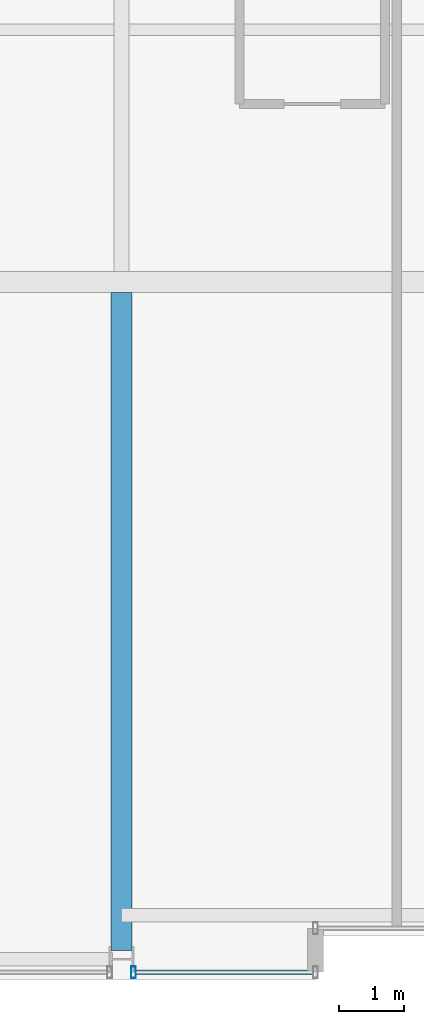
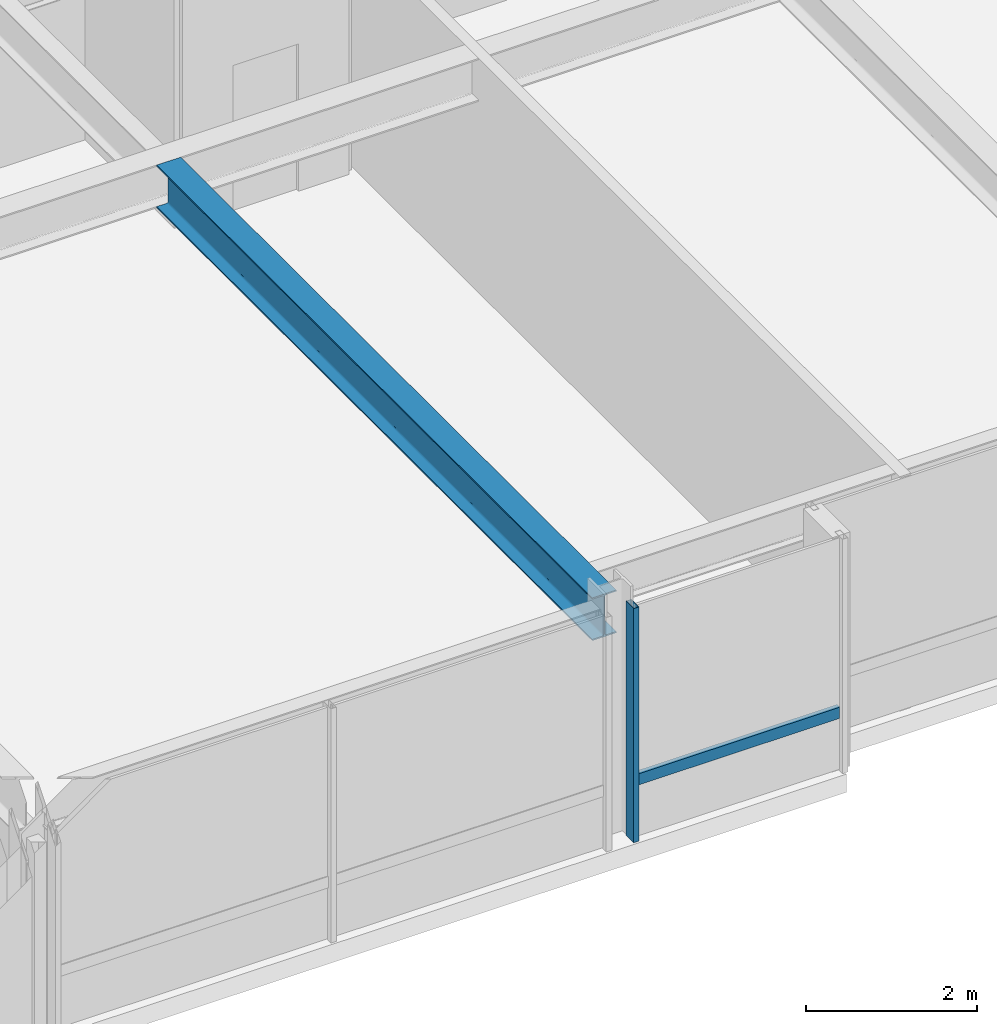
# One storey, part 3 of 31: 2 members, 1 beam, 1 element without a shape of its own.
"""IFC4 building model written with IfcOpenShell, lengths in metres."""

from ifc_helpers import new_model, si_unit, direction, frame, origin, origin_2d, place, context, subcontext, project, spatial, hollow_rectangle, i_section, extrude, material, layer, layer_set, material_profile, profile_set, type_object, element, aggregate, save


model = new_model("IFC4")

# Units and contexts
model_context = context("Model", 3, precision=1e-05, world=origin(), true_north=direction((0.0, 1.0)))
body_context = subcontext(model_context, "Body", "Model", "MODEL_VIEW")
ifc_project = project(units=[si_unit("LENGTHUNIT", "METRE"), si_unit("AREAUNIT", "SQUARE_METRE"), si_unit("VOLUMEUNIT", "CUBIC_METRE"), si_unit("PLANEANGLEUNIT", "RADIAN"), si_unit("MASSUNIT", "GRAM", prefix="KILO")], contexts=[model_context])

# Site, building, storey
site_placement = place(None, origin())
site = spatial("IfcSite", under=ifc_project, at=site_placement, CompositionType="ELEMENT")
building_placement = place(site_placement, origin())
building = spatial("IfcBuilding", under=site, at=building_placement, Name="Drelvath Grand Hotel", CompositionType="ELEMENT")
storey_placement = place(building_placement, frame((0.0, 0.0, 219.5)))
storey = spatial("IfcBuildingStorey", under=building, at=storey_placement, Name="L57", CompositionType="ELEMENT", Elevation=219.5)

# Curtain wall, members
ifc_material_1 = material(Name="Platinum-Mist Anodised Aluminium Frame", Category="aluminium")
ifc_layer = layer(ifc_material_1, 0.199951171875)
ifc_layer_set = layer_set([ifc_layer], Name="Platinum-Mist Anodised Aluminium Frame")
curtain_wall_type = type_object("IfcCurtainWallType", Name="Stick Curtain Wall CW-05 Platinum Mist High-Rise", PredefinedType="NOTDEFINED", material=ifc_layer_set)
curtain_wall_placement = place(storey_placement, origin())
curtain_wall = element("IfcCurtainWall", 1, at=curtain_wall_placement, inside=storey, type_object=curtain_wall_type, Name="L57 CW-05 Curtain Wall CW05-L57-SW3", PredefinedType="NOTDEFINED")
ifc_material_profile_1 = material_profile(ifc_material_1, hollow_rectangle(XDim=0.06494140625, YDim=0.159912109375, WallThickness=0.00390625, at=origin_2d()), Name="HSS160X65X4")
ifc_profile_set_1 = profile_set([ifc_material_profile_1], Name="Platinum-Mist Anodised Aluminium Frame")
member_type_1 = type_object("IfcMemberType", Name="Curtain Wall Horizontal Transom CW-05 HSS160X65X4", PredefinedType="USERDEFINED", material=ifc_profile_set_1)
member_1_placement = place(storey_placement, frame((-5.43994140625, 0.1201171875, 0.8349609375), z_axis=(-1.0, 0.0, 0.0), x_axis=(0.0, -1.0, 0.0)))
member_1 = element("IfcMember", 2, at=member_1_placement, type_object=member_type_1, Name="CW05-L57-SW3 Sill Transom", ObjectType="TRANSOM", PredefinedType="USERDEFINED", context=body_context, shape_type="SweptSolid", body=[
    extrude(hollow_rectangle(XDim=0.06494140625, YDim=0.159912109375, WallThickness=0.00390625, at=origin_2d()), origin(), (0.0, 0.0, 1.0), 2.73486328125),
])
ifc_material_profile_2 = material_profile(ifc_material_1, hollow_rectangle(XDim=0.074951171875, YDim=0.179931640625, WallThickness=0.0048828125, at=origin_2d()), Name="HSS180X75X5")
ifc_profile_set_2 = profile_set([ifc_material_profile_2], Name="Platinum-Mist Anodised Aluminium Frame")
member_type_2 = type_object("IfcMemberType", Name="Curtain Wall Vertical Mullion CW-05 HSS180X75X5", PredefinedType="MULLION", material=ifc_profile_set_2)
member_2_placement = place(storey_placement, frame((-8.214599609375, 0.1201171875, 0.0), z_axis=(0.0, 0.0, 1.0), x_axis=(1.0, 0.0, 0.0)))
member_2 = element("IfcMember", 3, at=member_2_placement, type_object=member_type_2, Name="CW05-L57-SW3 Mullion 2", PredefinedType="MULLION", context=body_context, shape_type="SweptSolid", body=[
    extrude(hollow_rectangle(XDim=0.074951171875, YDim=0.179931640625, WallThickness=0.0048828125, at=origin_2d()), origin(), (0.0, 0.0, 1.0), 3.340087890625),
])
aggregate(curtain_wall, [member_2, member_1])

# Beam
ifc_material_2 = material(Name="Steel ASTM A992 Gr 50", Category="steel")
ifc_material_profile_3 = material_profile(ifc_material_2, i_section(OverallWidth=0.323974609375, OverallDepth=0.611083984375, WebThickness=0.0126953125, FlangeThickness=0.01904296875, FilletRadius=0.02197265625, at=origin_2d()), Name="W24X104")
ifc_profile_set_3 = profile_set([ifc_material_profile_3], Name="Steel ASTM A992 Gr 50")
beam_type = type_object("IfcBeamType", Name="Primary Floor Girder W24X104", PredefinedType="BEAM", material=ifc_profile_set_3)
beam_placement = place(storey_placement, frame((-8.39990234375, 0.4599609375, 3.034423828125), z_axis=(0.0, 1.0, 0.0), x_axis=(-1.0, 0.0, 0.0)))
element("IfcBeam", 4, at=beam_placement, inside=storey, type_object=beam_type, Name="L57 South Wing Girder 4", PredefinedType="BEAM", context=body_context, shape_type="SweptSolid", body=[
    extrude(i_section(OverallWidth=0.323974609375, OverallDepth=0.611083984375, WebThickness=0.0126953125, FlangeThickness=0.01904296875, FilletRadius=0.02197265625, at=origin_2d()), origin(), (0.0, 0.0, 1.0), 10.177978515625),
])

save(model, "model.ifc")
